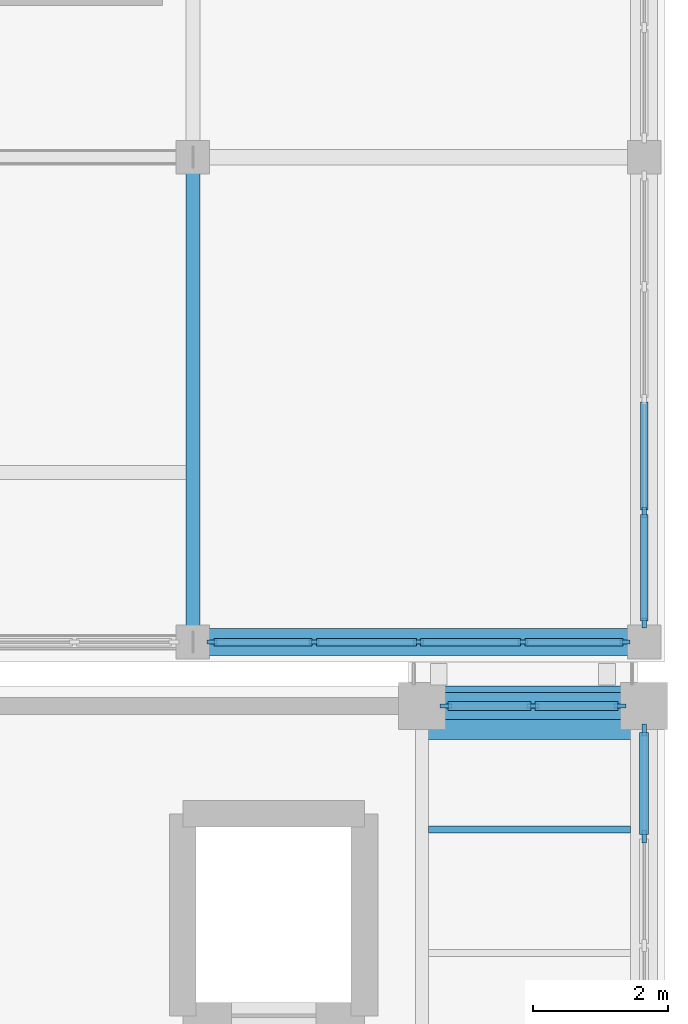
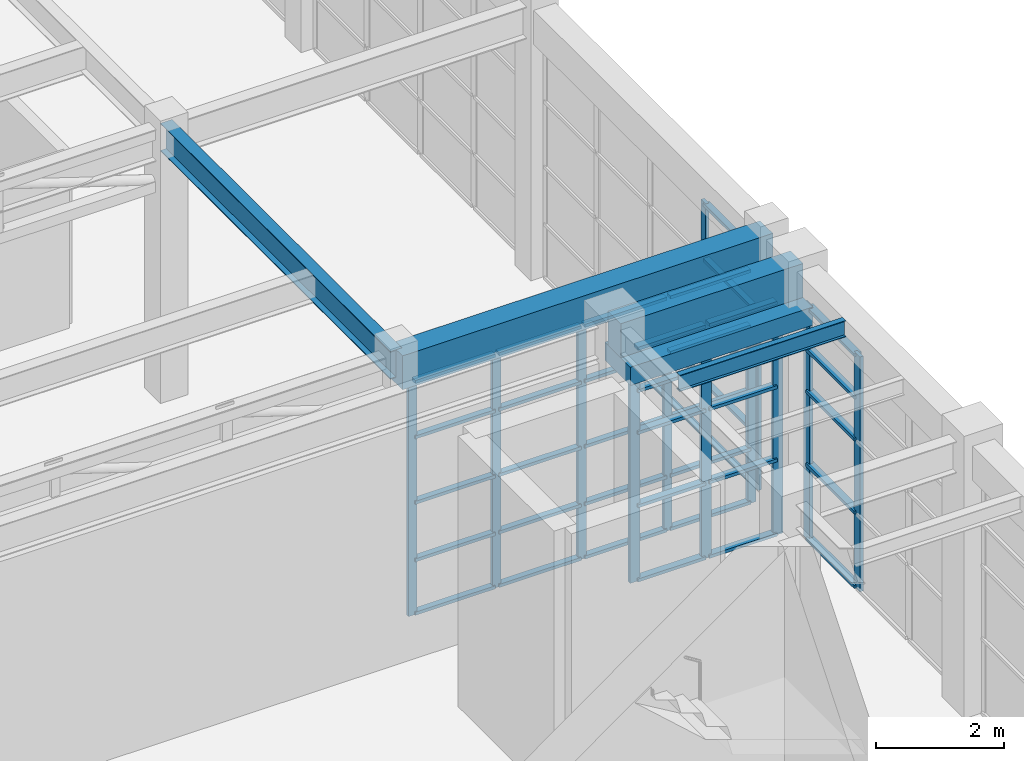
# One storey, part 51 of 103: 54 members, 5 beams, 4 elements without a shape of their own.
"""IFC4 building model written with IfcOpenShell, lengths in metres."""

from ifc_helpers import new_model, si_unit, direction, frame, origin, origin_2d, place, context, subcontext, project, spatial, rectangle, i_section, extrude, material, layer, layer_set, material_profile, profile_set, type_object, element, aggregate, save


model = new_model("IFC4")

# Units and contexts
model_context = context("Model", 3, precision=1e-05, world=origin(), true_north=direction((0.0, 1.0)))
body_context = subcontext(model_context, "Body", "Model", "MODEL_VIEW")
ifc_project = project(units=[si_unit("LENGTHUNIT", "METRE"), si_unit("AREAUNIT", "SQUARE_METRE"), si_unit("VOLUMEUNIT", "CUBIC_METRE"), si_unit("PLANEANGLEUNIT", "RADIAN"), si_unit("MASSUNIT", "GRAM", prefix="KILO")], contexts=[model_context])

# Site, building, storey
site_placement = place(None, origin())
site = spatial("IfcSite", under=ifc_project, at=site_placement, CompositionType="ELEMENT")
building_placement = place(site_placement, origin())
building = spatial("IfcBuilding", under=site, at=building_placement, Name="Candilejo Ridge Gondola Terminal", CompositionType="ELEMENT")
storey_placement = place(building_placement, frame((0.0, 0.0, 9.0)))
storey = spatial("IfcBuildingStorey", under=building, at=storey_placement, Name="L02", CompositionType="ELEMENT", Elevation=9.0)

# Curtain wall, members
ifc_material_1 = material(Name="Anodised aluminium AA 6063-T6", Category="aluminium")
ifc_layer_1 = layer(ifc_material_1, 0.169921875)
ifc_layer_set_1 = layer_set([ifc_layer_1], Name="ARC-CW-TOWER-3000-670X449")
curtain_wall_type_1 = type_object("IfcCurtainWallType", Name="ARC-CW-TOWER-3000-670X449", PredefinedType="NOTDEFINED", material=ifc_layer_set_1)
curtain_wall_1_placement = place(storey_placement, origin())
curtain_wall_1 = element("IfcCurtainWall", 1, at=curtain_wall_1_placement, inside=storey, type_object=curtain_wall_type_1, Name="Curtain wall V5 L02-175", PredefinedType="NOTDEFINED")
ifc_material_2 = material(Name="Anodised aluminium AA 6063-T6", Category="aluminium")
ifc_material_profile_1 = material_profile(ifc_material_2, rectangle(XDim=0.06494140625, YDim=0.14990234375, at=origin_2d()))
ifc_profile_set_1 = profile_set([ifc_material_profile_1], Name="Anodised aluminium AA 6063-T6")
member_type_1 = type_object("IfcMemberType", Name="ARC-CW-MULLION-150", PredefinedType="MULLION", material=ifc_profile_set_1)
member_1_placement = place(storey_placement, frame((175.300048828125, 48.9326171875, 0.0), z_axis=(0.0, 0.0, 1.0), x_axis=(-1.0, 0.0, 0.0)))
member_1 = element("IfcMember", 2, at=member_1_placement, type_object=member_type_1, Name="CW-67X44 mullion 1", PredefinedType="MULLION", context=body_context, shape_type="SweptSolid", body=[
    extrude(rectangle(XDim=0.06494140625, YDim=0.14990234375, at=origin_2d()), origin(), (0.0, 0.0, 1.0), 4.489990234375),
])
member_2_placement = place(storey_placement, frame((175.300048828125, 50.574951171875, 0.0), z_axis=(0.0, 0.0, 1.0), x_axis=(-1.0, 0.0, 0.0)))
member_2 = element("IfcMember", 3, at=member_2_placement, type_object=member_type_1, Name="CW-67X44 mullion 2", PredefinedType="MULLION", context=body_context, shape_type="SweptSolid", body=[
    extrude(rectangle(XDim=0.06494140625, YDim=0.14990234375, at=origin_2d()), origin(), (0.0, 0.0, 1.0), 4.489990234375),
])

ifc_material_3 = material(Name="Anodised aluminium AA 6063-T6", Category="aluminium")
ifc_layer_2 = layer(ifc_material_3, 0.169921875)
ifc_layer_set_2 = layer_set([ifc_layer_2], Name="ARC-CW-TOWER-3000-620X449")
curtain_wall_type_2 = type_object("IfcCurtainWallType", Name="ARC-CW-TOWER-3000-620X449", PredefinedType="NOTDEFINED", material=ifc_layer_set_2)
curtain_wall_2_placement = place(storey_placement, origin())
curtain_wall_2 = element("IfcCurtainWall", 4, at=curtain_wall_2_placement, inside=storey, type_object=curtain_wall_type_2, Name="Curtain wall V5 L02-194", PredefinedType="NOTDEFINED")
member_3_placement = place(storey_placement, frame((168.882568359375, 48.64990234375, 0.0), z_axis=(0.0, 0.0, 1.0), x_axis=(0.0, 1.0, 0.0)))
member_3 = element("IfcMember", 5, at=member_3_placement, type_object=member_type_1, Name="CW-62X44 mullion 1", PredefinedType="MULLION", context=body_context, shape_type="SweptSolid", body=[
    extrude(rectangle(XDim=0.06494140625, YDim=0.14990234375, at=origin_2d()), origin(), (0.0, 0.0, 1.0), 4.489990234375),
])
member_4_placement = place(storey_placement, frame((170.39990234375, 48.64990234375, 0.0), z_axis=(0.0, 0.0, 1.0), x_axis=(0.0, 1.0, 0.0)))
member_4 = element("IfcMember", 6, at=member_4_placement, type_object=member_type_1, Name="CW-62X44 mullion 2", PredefinedType="MULLION", context=body_context, shape_type="SweptSolid", body=[
    extrude(rectangle(XDim=0.06494140625, YDim=0.14990234375, at=origin_2d()), origin(), (0.0, 0.0, 1.0), 4.489990234375),
])
member_5_placement = place(storey_placement, frame((171.949951171875, 48.64990234375, 0.0), z_axis=(0.0, 0.0, 1.0), x_axis=(0.0, 1.0, 0.0)))
member_5 = element("IfcMember", 7, at=member_5_placement, type_object=member_type_1, Name="CW-62X44 mullion 3", PredefinedType="MULLION", context=body_context, shape_type="SweptSolid", body=[
    extrude(rectangle(XDim=0.06494140625, YDim=0.14990234375, at=origin_2d()), origin(), (0.0, 0.0, 1.0), 4.489990234375),
])
member_6_placement = place(storey_placement, frame((173.5, 48.64990234375, 0.0), z_axis=(0.0, 0.0, 1.0), x_axis=(0.0, 1.0, 0.0)))
member_6 = element("IfcMember", 8, at=member_6_placement, type_object=member_type_1, Name="CW-62X44 mullion 4", PredefinedType="MULLION", context=body_context, shape_type="SweptSolid", body=[
    extrude(rectangle(XDim=0.06494140625, YDim=0.14990234375, at=origin_2d()), origin(), (0.0, 0.0, 1.0), 4.489990234375),
])
member_7_placement = place(storey_placement, frame((175.017578125, 48.64990234375, 0.0), z_axis=(0.0, 0.0, 1.0), x_axis=(0.0, 1.0, 0.0)))
member_7 = element("IfcMember", 9, at=member_7_placement, type_object=member_type_1, Name="CW-62X44 mullion 5", PredefinedType="MULLION", context=body_context, shape_type="SweptSolid", body=[
    extrude(rectangle(XDim=0.06494140625, YDim=0.14990234375, at=origin_2d()), origin(), (0.0, 0.0, 1.0), 4.489990234375),
])

ifc_material_4 = material(Name="Anodised aluminium AA 6063-T6", Category="aluminium")
ifc_layer_3 = layer(ifc_material_4, 0.169921875)
ifc_layer_set_3 = layer_set([ifc_layer_3], Name="ARC-CW-HALL-3800-485X449")
curtain_wall_type_3 = type_object("IfcCurtainWallType", Name="ARC-CW-HALL-3800-485X449", PredefinedType="NOTDEFINED", material=ifc_layer_set_3)
curtain_wall_3_placement = place(storey_placement, origin())
curtain_wall_3 = element("IfcCurtainWall", 10, at=curtain_wall_3_placement, inside=storey, type_object=curtain_wall_type_3, Name="Curtain wall V4 L02-143", PredefinedType="NOTDEFINED")
ifc_material_5 = material(Name="Anodised aluminium AA 6063-T6", Category="aluminium")
ifc_material_profile_2 = material_profile(ifc_material_5, rectangle(XDim=0.06494140625, YDim=0.179931640625, at=origin_2d()))
ifc_profile_set_2 = profile_set([ifc_material_profile_2], Name="Anodised aluminium AA 6063-T6")
member_type_2 = type_object("IfcMemberType", Name="ARC-CW-MULLION-180", PredefinedType="MULLION", material=ifc_profile_set_2)
member_8_placement = place(storey_placement, frame((175.300048828125, 45.75830078125, 0.0), z_axis=(0.0, 0.0, 1.0), x_axis=(-1.0, 0.0, 0.0)))
member_8 = element("IfcMember", 11, at=member_8_placement, type_object=member_type_2, Name="CW-48X44 mullion 3", PredefinedType="MULLION", context=body_context, shape_type="SweptSolid", body=[
    extrude(rectangle(XDim=0.06494140625, YDim=0.179931640625, at=origin_2d()), origin(), (0.0, 0.0, 1.0), 4.489990234375),
])
member_9_placement = place(storey_placement, frame((175.300048828125, 47.342529296875, 0.0), z_axis=(0.0, 0.0, 1.0), x_axis=(-1.0, 0.0, 0.0)))
member_9 = element("IfcMember", 12, at=member_9_placement, type_object=member_type_2, Name="CW-48X44 mullion 4", PredefinedType="MULLION", context=body_context, shape_type="SweptSolid", body=[
    extrude(rectangle(XDim=0.06494140625, YDim=0.179931640625, at=origin_2d()), origin(), (0.0, 0.0, 1.0), 4.489990234375),
])

ifc_material_6 = material(Name="Anodised aluminium AA 6063-T6", Category="aluminium")
ifc_layer_4 = layer(ifc_material_6, 0.169921875)
ifc_layer_set_4 = layer_set([ifc_layer_4], Name="ARC-CW-HALL-3800-265X449")
curtain_wall_type_4 = type_object("IfcCurtainWallType", Name="ARC-CW-HALL-3800-265X449", PredefinedType="NOTDEFINED", material=ifc_layer_set_4)
curtain_wall_4_placement = place(storey_placement, origin())
curtain_wall_4 = element("IfcCurtainWall", 13, at=curtain_wall_4_placement, inside=storey, type_object=curtain_wall_type_4, Name="Curtain wall V4 L02-150", PredefinedType="NOTDEFINED")
member_10_placement = place(storey_placement, frame((172.357421875, 47.699951171875, 0.0), z_axis=(0.0, 0.0, 1.0), x_axis=(0.0, 1.0, 0.0)))
member_10 = element("IfcMember", 14, at=member_10_placement, type_object=member_type_2, Name="CW-26X44 mullion 1", PredefinedType="MULLION", context=body_context, shape_type="SweptSolid", body=[
    extrude(rectangle(XDim=0.06494140625, YDim=0.179931640625, at=origin_2d()), origin(), (0.0, 0.0, 1.0), 4.489990234375),
])
member_11_placement = place(storey_placement, frame((173.64990234375, 47.699951171875, 0.0), z_axis=(0.0, 0.0, 1.0), x_axis=(0.0, 1.0, 0.0)))
member_11 = element("IfcMember", 15, at=member_11_placement, type_object=member_type_2, Name="CW-26X44 mullion 2", PredefinedType="MULLION", context=body_context, shape_type="SweptSolid", body=[
    extrude(rectangle(XDim=0.06494140625, YDim=0.179931640625, at=origin_2d()), origin(), (0.0, 0.0, 1.0), 4.489990234375),
])
member_12_placement = place(storey_placement, frame((174.9423828125, 47.699951171875, 0.0), z_axis=(0.0, 0.0, 1.0), x_axis=(0.0, 1.0, 0.0)))
member_12 = element("IfcMember", 16, at=member_12_placement, type_object=member_type_2, Name="CW-26X44 mullion 3", PredefinedType="MULLION", context=body_context, shape_type="SweptSolid", body=[
    extrude(rectangle(XDim=0.06494140625, YDim=0.179931640625, at=origin_2d()), origin(), (0.0, 0.0, 1.0), 4.489990234375),
])

# Member
ifc_material_7 = material(Name="Anodised aluminium AA 6063-T6", Category="aluminium")
ifc_material_profile_3 = material_profile(ifc_material_7, rectangle(XDim=0.110107421875, YDim=0.06005859375, at=origin_2d()))
ifc_profile_set_3 = profile_set([ifc_material_profile_3], Name="Anodised aluminium AA 6063-T6")
member_type_3 = type_object("IfcMemberType", Name="ARC-CW-TRANSOM-110", PredefinedType="USERDEFINED", material=ifc_profile_set_3)
member_13_placement = place(storey_placement, frame((175.300048828125, 48.965087890625, 0.030029296875), z_axis=(0.0, 1.0, 0.0), x_axis=(-1.0, 0.0, 0.0)))
member_13 = element("IfcMember", 17, at=member_13_placement, type_object=member_type_3, Name="CW-67X44 transom 1.1", ObjectType="TRANSOM", PredefinedType="USERDEFINED", context=body_context, shape_type="SweptSolid", body=[
    extrude(rectangle(XDim=0.110107421875, YDim=0.06005859375, at=origin_2d()), origin(), (0.0, 0.0, 1.0), 1.577392578125),
])

member_14_placement = place(storey_placement, frame((175.300048828125, 48.965087890625, 1.050048828125), z_axis=(0.0, 1.0, 0.0), x_axis=(-1.0, 0.0, 0.0)))
member_14 = element("IfcMember", 18, at=member_14_placement, type_object=member_type_3, Name="CW-67X44 transom 1.2", ObjectType="TRANSOM", PredefinedType="USERDEFINED", context=body_context, shape_type="SweptSolid", body=[
    extrude(rectangle(XDim=0.110107421875, YDim=0.06005859375, at=origin_2d()), origin(), (0.0, 0.0, 1.0), 1.577392578125),
])

member_15_placement = place(storey_placement, frame((175.300048828125, 48.965087890625, 2.14990234375), z_axis=(0.0, 1.0, 0.0), x_axis=(-1.0, 0.0, 0.0)))
member_15 = element("IfcMember", 19, at=member_15_placement, type_object=member_type_3, Name="CW-67X44 transom 1.3", ObjectType="TRANSOM", PredefinedType="USERDEFINED", context=body_context, shape_type="SweptSolid", body=[
    extrude(rectangle(XDim=0.110107421875, YDim=0.06005859375, at=origin_2d()), origin(), (0.0, 0.0, 1.0), 1.577392578125),
])

member_16_placement = place(storey_placement, frame((175.300048828125, 48.965087890625, 3.39990234375), z_axis=(0.0, 1.0, 0.0), x_axis=(-1.0, 0.0, 0.0)))
member_16 = element("IfcMember", 20, at=member_16_placement, type_object=member_type_3, Name="CW-67X44 transom 1.4", ObjectType="TRANSOM", PredefinedType="USERDEFINED", context=body_context, shape_type="SweptSolid", body=[
    extrude(rectangle(XDim=0.110107421875, YDim=0.06005859375, at=origin_2d()), origin(), (0.0, 0.0, 1.0), 1.577392578125),
])

member_17_placement = place(storey_placement, frame((175.300048828125, 48.965087890625, 4.4599609375), z_axis=(0.0, 1.0, 0.0), x_axis=(-1.0, 0.0, 0.0)))
member_17 = element("IfcMember", 21, at=member_17_placement, type_object=member_type_3, Name="CW-67X44 transom 1.5", ObjectType="TRANSOM", PredefinedType="USERDEFINED", context=body_context, shape_type="SweptSolid", body=[
    extrude(rectangle(XDim=0.110107421875, YDim=0.06005859375, at=origin_2d()), origin(), (0.0, 0.0, 1.0), 1.577392578125),
])

member_18_placement = place(storey_placement, frame((175.300048828125, 50.607421875, 0.030029296875), z_axis=(0.0, 1.0, 0.0), x_axis=(-1.0, 0.0, 0.0)))
member_18 = element("IfcMember", 22, at=member_18_placement, type_object=member_type_3, Name="CW-67X44 transom 2.1", ObjectType="TRANSOM", PredefinedType="USERDEFINED", context=body_context, shape_type="SweptSolid", body=[
    extrude(rectangle(XDim=0.110107421875, YDim=0.06005859375, at=origin_2d()), origin(), (0.0, 0.0, 1.0), 1.610107421875),
])

member_19_placement = place(storey_placement, frame((175.300048828125, 50.607421875, 1.050048828125), z_axis=(0.0, 1.0, 0.0), x_axis=(-1.0, 0.0, 0.0)))
member_19 = element("IfcMember", 23, at=member_19_placement, type_object=member_type_3, Name="CW-67X44 transom 2.2", ObjectType="TRANSOM", PredefinedType="USERDEFINED", context=body_context, shape_type="SweptSolid", body=[
    extrude(rectangle(XDim=0.110107421875, YDim=0.06005859375, at=origin_2d()), origin(), (0.0, 0.0, 1.0), 1.610107421875),
])

aggregate(curtain_wall_1, [member_1, member_2, member_13, member_14, member_15, member_16, member_17, member_18, member_19])

member_20_placement = place(storey_placement, frame((168.9150390625, 48.64990234375, 0.030029296875), z_axis=(1.0, 0.0, 0.0), x_axis=(0.0, 1.0, 0.0)))
member_20 = element("IfcMember", 24, at=member_20_placement, type_object=member_type_3, Name="CW-62X44 transom 1.1", ObjectType="TRANSOM", PredefinedType="USERDEFINED", context=body_context, shape_type="SweptSolid", body=[
    extrude(rectangle(XDim=0.110107421875, YDim=0.06005859375, at=origin_2d()), origin(), (0.0, 0.0, 1.0), 1.452392578125),
])

member_21_placement = place(storey_placement, frame((168.9150390625, 48.64990234375, 1.050048828125), z_axis=(1.0, 0.0, 0.0), x_axis=(0.0, 1.0, 0.0)))
member_21 = element("IfcMember", 25, at=member_21_placement, type_object=member_type_3, Name="CW-62X44 transom 1.2", ObjectType="TRANSOM", PredefinedType="USERDEFINED", context=body_context, shape_type="SweptSolid", body=[
    extrude(rectangle(XDim=0.110107421875, YDim=0.06005859375, at=origin_2d()), origin(), (0.0, 0.0, 1.0), 1.452392578125),
])

member_22_placement = place(storey_placement, frame((168.9150390625, 48.64990234375, 2.14990234375), z_axis=(1.0, 0.0, 0.0), x_axis=(0.0, 1.0, 0.0)))
member_22 = element("IfcMember", 26, at=member_22_placement, type_object=member_type_3, Name="CW-62X44 transom 1.3", ObjectType="TRANSOM", PredefinedType="USERDEFINED", context=body_context, shape_type="SweptSolid", body=[
    extrude(rectangle(XDim=0.110107421875, YDim=0.06005859375, at=origin_2d()), origin(), (0.0, 0.0, 1.0), 1.452392578125),
])

member_23_placement = place(storey_placement, frame((168.9150390625, 48.64990234375, 3.39990234375), z_axis=(1.0, 0.0, 0.0), x_axis=(0.0, 1.0, 0.0)))
member_23 = element("IfcMember", 27, at=member_23_placement, type_object=member_type_3, Name="CW-62X44 transom 1.4", ObjectType="TRANSOM", PredefinedType="USERDEFINED", context=body_context, shape_type="SweptSolid", body=[
    extrude(rectangle(XDim=0.110107421875, YDim=0.06005859375, at=origin_2d()), origin(), (0.0, 0.0, 1.0), 1.452392578125),
])

member_24_placement = place(storey_placement, frame((168.9150390625, 48.64990234375, 4.4599609375), z_axis=(1.0, 0.0, 0.0), x_axis=(0.0, 1.0, 0.0)))
member_24 = element("IfcMember", 28, at=member_24_placement, type_object=member_type_3, Name="CW-62X44 transom 1.5", ObjectType="TRANSOM", PredefinedType="USERDEFINED", context=body_context, shape_type="SweptSolid", body=[
    extrude(rectangle(XDim=0.110107421875, YDim=0.06005859375, at=origin_2d()), origin(), (0.0, 0.0, 1.0), 1.452392578125),
])

member_25_placement = place(storey_placement, frame((170.4326171875, 48.64990234375, 0.030029296875), z_axis=(1.0, 0.0, 0.0), x_axis=(0.0, 1.0, 0.0)))
member_25 = element("IfcMember", 29, at=member_25_placement, type_object=member_type_3, Name="CW-62X44 transom 2.1", ObjectType="TRANSOM", PredefinedType="USERDEFINED", context=body_context, shape_type="SweptSolid", body=[
    extrude(rectangle(XDim=0.110107421875, YDim=0.06005859375, at=origin_2d()), origin(), (0.0, 0.0, 1.0), 1.48486328125),
])

member_26_placement = place(storey_placement, frame((170.4326171875, 48.64990234375, 1.050048828125), z_axis=(1.0, 0.0, 0.0), x_axis=(0.0, 1.0, 0.0)))
member_26 = element("IfcMember", 30, at=member_26_placement, type_object=member_type_3, Name="CW-62X44 transom 2.2", ObjectType="TRANSOM", PredefinedType="USERDEFINED", context=body_context, shape_type="SweptSolid", body=[
    extrude(rectangle(XDim=0.110107421875, YDim=0.06005859375, at=origin_2d()), origin(), (0.0, 0.0, 1.0), 1.48486328125),
])

member_27_placement = place(storey_placement, frame((170.4326171875, 48.64990234375, 2.14990234375), z_axis=(1.0, 0.0, 0.0), x_axis=(0.0, 1.0, 0.0)))
member_27 = element("IfcMember", 31, at=member_27_placement, type_object=member_type_3, Name="CW-62X44 transom 2.3", ObjectType="TRANSOM", PredefinedType="USERDEFINED", context=body_context, shape_type="SweptSolid", body=[
    extrude(rectangle(XDim=0.110107421875, YDim=0.06005859375, at=origin_2d()), origin(), (0.0, 0.0, 1.0), 1.48486328125),
])

member_28_placement = place(storey_placement, frame((170.4326171875, 48.64990234375, 3.39990234375), z_axis=(1.0, 0.0, 0.0), x_axis=(0.0, 1.0, 0.0)))
member_28 = element("IfcMember", 32, at=member_28_placement, type_object=member_type_3, Name="CW-62X44 transom 2.4", ObjectType="TRANSOM", PredefinedType="USERDEFINED", context=body_context, shape_type="SweptSolid", body=[
    extrude(rectangle(XDim=0.110107421875, YDim=0.06005859375, at=origin_2d()), origin(), (0.0, 0.0, 1.0), 1.48486328125),
])

member_29_placement = place(storey_placement, frame((170.4326171875, 48.64990234375, 4.4599609375), z_axis=(1.0, 0.0, 0.0), x_axis=(0.0, 1.0, 0.0)))
member_29 = element("IfcMember", 33, at=member_29_placement, type_object=member_type_3, Name="CW-62X44 transom 2.5", ObjectType="TRANSOM", PredefinedType="USERDEFINED", context=body_context, shape_type="SweptSolid", body=[
    extrude(rectangle(XDim=0.110107421875, YDim=0.06005859375, at=origin_2d()), origin(), (0.0, 0.0, 1.0), 1.48486328125),
])

member_30_placement = place(storey_placement, frame((171.982421875, 48.64990234375, 0.030029296875), z_axis=(1.0, 0.0, 0.0), x_axis=(0.0, 1.0, 0.0)))
member_30 = element("IfcMember", 34, at=member_30_placement, type_object=member_type_3, Name="CW-62X44 transom 3.1", ObjectType="TRANSOM", PredefinedType="USERDEFINED", context=body_context, shape_type="SweptSolid", body=[
    extrude(rectangle(XDim=0.110107421875, YDim=0.06005859375, at=origin_2d()), origin(), (0.0, 0.0, 1.0), 1.485107421875),
])

member_31_placement = place(storey_placement, frame((171.982421875, 48.64990234375, 1.050048828125), z_axis=(1.0, 0.0, 0.0), x_axis=(0.0, 1.0, 0.0)))
member_31 = element("IfcMember", 35, at=member_31_placement, type_object=member_type_3, Name="CW-62X44 transom 3.2", ObjectType="TRANSOM", PredefinedType="USERDEFINED", context=body_context, shape_type="SweptSolid", body=[
    extrude(rectangle(XDim=0.110107421875, YDim=0.06005859375, at=origin_2d()), origin(), (0.0, 0.0, 1.0), 1.485107421875),
])

member_32_placement = place(storey_placement, frame((171.982421875, 48.64990234375, 2.14990234375), z_axis=(1.0, 0.0, 0.0), x_axis=(0.0, 1.0, 0.0)))
member_32 = element("IfcMember", 36, at=member_32_placement, type_object=member_type_3, Name="CW-62X44 transom 3.3", ObjectType="TRANSOM", PredefinedType="USERDEFINED", context=body_context, shape_type="SweptSolid", body=[
    extrude(rectangle(XDim=0.110107421875, YDim=0.06005859375, at=origin_2d()), origin(), (0.0, 0.0, 1.0), 1.485107421875),
])

member_33_placement = place(storey_placement, frame((171.982421875, 48.64990234375, 3.39990234375), z_axis=(1.0, 0.0, 0.0), x_axis=(0.0, 1.0, 0.0)))
member_33 = element("IfcMember", 37, at=member_33_placement, type_object=member_type_3, Name="CW-62X44 transom 3.4", ObjectType="TRANSOM", PredefinedType="USERDEFINED", context=body_context, shape_type="SweptSolid", body=[
    extrude(rectangle(XDim=0.110107421875, YDim=0.06005859375, at=origin_2d()), origin(), (0.0, 0.0, 1.0), 1.485107421875),
])

member_34_placement = place(storey_placement, frame((171.982421875, 48.64990234375, 4.4599609375), z_axis=(1.0, 0.0, 0.0), x_axis=(0.0, 1.0, 0.0)))
member_34 = element("IfcMember", 38, at=member_34_placement, type_object=member_type_3, Name="CW-62X44 transom 3.5", ObjectType="TRANSOM", PredefinedType="USERDEFINED", context=body_context, shape_type="SweptSolid", body=[
    extrude(rectangle(XDim=0.110107421875, YDim=0.06005859375, at=origin_2d()), origin(), (0.0, 0.0, 1.0), 1.485107421875),
])

member_35_placement = place(storey_placement, frame((173.532470703125, 48.64990234375, 0.030029296875), z_axis=(1.0, 0.0, 0.0), x_axis=(0.0, 1.0, 0.0)))
member_35 = element("IfcMember", 39, at=member_35_placement, type_object=member_type_3, Name="CW-62X44 transom 4.1", ObjectType="TRANSOM", PredefinedType="USERDEFINED", context=body_context, shape_type="SweptSolid", body=[
    extrude(rectangle(XDim=0.110107421875, YDim=0.06005859375, at=origin_2d()), origin(), (0.0, 0.0, 1.0), 1.45263671875),
])

member_36_placement = place(storey_placement, frame((173.532470703125, 48.64990234375, 1.050048828125), z_axis=(1.0, 0.0, 0.0), x_axis=(0.0, 1.0, 0.0)))
member_36 = element("IfcMember", 40, at=member_36_placement, type_object=member_type_3, Name="CW-62X44 transom 4.2", ObjectType="TRANSOM", PredefinedType="USERDEFINED", context=body_context, shape_type="SweptSolid", body=[
    extrude(rectangle(XDim=0.110107421875, YDim=0.06005859375, at=origin_2d()), origin(), (0.0, 0.0, 1.0), 1.45263671875),
])

member_37_placement = place(storey_placement, frame((173.532470703125, 48.64990234375, 2.14990234375), z_axis=(1.0, 0.0, 0.0), x_axis=(0.0, 1.0, 0.0)))
member_37 = element("IfcMember", 41, at=member_37_placement, type_object=member_type_3, Name="CW-62X44 transom 4.3", ObjectType="TRANSOM", PredefinedType="USERDEFINED", context=body_context, shape_type="SweptSolid", body=[
    extrude(rectangle(XDim=0.110107421875, YDim=0.06005859375, at=origin_2d()), origin(), (0.0, 0.0, 1.0), 1.45263671875),
])

member_38_placement = place(storey_placement, frame((173.532470703125, 48.64990234375, 3.39990234375), z_axis=(1.0, 0.0, 0.0), x_axis=(0.0, 1.0, 0.0)))
member_38 = element("IfcMember", 42, at=member_38_placement, type_object=member_type_3, Name="CW-62X44 transom 4.4", ObjectType="TRANSOM", PredefinedType="USERDEFINED", context=body_context, shape_type="SweptSolid", body=[
    extrude(rectangle(XDim=0.110107421875, YDim=0.06005859375, at=origin_2d()), origin(), (0.0, 0.0, 1.0), 1.45263671875),
])

member_39_placement = place(storey_placement, frame((173.532470703125, 48.64990234375, 4.4599609375), z_axis=(1.0, 0.0, 0.0), x_axis=(0.0, 1.0, 0.0)))
member_39 = element("IfcMember", 43, at=member_39_placement, type_object=member_type_3, Name="CW-62X44 transom 4.5", ObjectType="TRANSOM", PredefinedType="USERDEFINED", context=body_context, shape_type="SweptSolid", body=[
    extrude(rectangle(XDim=0.110107421875, YDim=0.06005859375, at=origin_2d()), origin(), (0.0, 0.0, 1.0), 1.45263671875),
])

aggregate(curtain_wall_2, [member_3, member_4, member_5, member_6, member_7, member_20, member_21, member_22, member_23, member_24, member_25, member_26, member_27, member_28, member_29, member_30, member_31, member_32, member_33, member_34, member_35, member_36, member_37, member_38, member_39])

ifc_material_8 = material(Name="Anodised aluminium AA 6063-T6", Category="aluminium")
ifc_material_profile_4 = material_profile(ifc_material_8, rectangle(XDim=0.1298828125, YDim=0.06005859375, at=origin_2d()))
ifc_profile_set_4 = profile_set([ifc_material_profile_4], Name="Anodised aluminium AA 6063-T6")
member_type_4 = type_object("IfcMemberType", Name="ARC-CW-TRANSOM-130", PredefinedType="USERDEFINED", material=ifc_profile_set_4)
member_40_placement = place(storey_placement, frame((175.300048828125, 45.790771484375, 0.030029296875), z_axis=(0.0, 1.0, 0.0), x_axis=(-1.0, 0.0, 0.0)))
member_40 = element("IfcMember", 44, at=member_40_placement, type_object=member_type_4, Name="CW-48X44 transom 3.1", ObjectType="TRANSOM", PredefinedType="USERDEFINED", context=body_context, shape_type="SweptSolid", body=[
    extrude(rectangle(XDim=0.1298828125, YDim=0.06005859375, at=origin_2d()), origin(), (0.0, 0.0, 1.0), 1.519287109375),
])

member_41_placement = place(storey_placement, frame((175.300048828125, 45.790771484375, 1.449951171875), z_axis=(0.0, 1.0, 0.0), x_axis=(-1.0, 0.0, 0.0)))
member_41 = element("IfcMember", 45, at=member_41_placement, type_object=member_type_4, Name="CW-48X44 transom 3.2", ObjectType="TRANSOM", PredefinedType="USERDEFINED", context=body_context, shape_type="SweptSolid", body=[
    extrude(rectangle(XDim=0.1298828125, YDim=0.06005859375, at=origin_2d()), origin(), (0.0, 0.0, 1.0), 1.519287109375),
])

member_42_placement = place(storey_placement, frame((175.300048828125, 45.790771484375, 2.85009765625), z_axis=(0.0, 1.0, 0.0), x_axis=(-1.0, 0.0, 0.0)))
member_42 = element("IfcMember", 46, at=member_42_placement, type_object=member_type_4, Name="CW-48X44 transom 3.3", ObjectType="TRANSOM", PredefinedType="USERDEFINED", context=body_context, shape_type="SweptSolid", body=[
    extrude(rectangle(XDim=0.1298828125, YDim=0.06005859375, at=origin_2d()), origin(), (0.0, 0.0, 1.0), 1.519287109375),
])

member_43_placement = place(storey_placement, frame((175.300048828125, 45.790771484375, 3.64990234375), z_axis=(0.0, 1.0, 0.0), x_axis=(-1.0, 0.0, 0.0)))
member_43 = element("IfcMember", 47, at=member_43_placement, type_object=member_type_4, Name="CW-48X44 transom 3.4", ObjectType="TRANSOM", PredefinedType="USERDEFINED", context=body_context, shape_type="SweptSolid", body=[
    extrude(rectangle(XDim=0.1298828125, YDim=0.06005859375, at=origin_2d()), origin(), (0.0, 0.0, 1.0), 1.519287109375),
])

member_44_placement = place(storey_placement, frame((175.300048828125, 45.790771484375, 4.4599609375), z_axis=(0.0, 1.0, 0.0), x_axis=(-1.0, 0.0, 0.0)))
member_44 = element("IfcMember", 48, at=member_44_placement, type_object=member_type_4, Name="CW-48X44 transom 3.5", ObjectType="TRANSOM", PredefinedType="USERDEFINED", context=body_context, shape_type="SweptSolid", body=[
    extrude(rectangle(XDim=0.1298828125, YDim=0.06005859375, at=origin_2d()), origin(), (0.0, 0.0, 1.0), 1.519287109375),
])

aggregate(curtain_wall_3, [member_8, member_9, member_40, member_41, member_42, member_43, member_44])

member_45_placement = place(storey_placement, frame((172.389892578125, 47.699951171875, 0.030029296875), z_axis=(1.0, 0.0, 0.0), x_axis=(0.0, 1.0, 0.0)))
member_45 = element("IfcMember", 49, at=member_45_placement, type_object=member_type_4, Name="CW-26X44 transom 1.1", ObjectType="TRANSOM", PredefinedType="USERDEFINED", context=body_context, shape_type="SweptSolid", body=[
    extrude(rectangle(XDim=0.1298828125, YDim=0.06005859375, at=origin_2d()), origin(), (0.0, 0.0, 1.0), 1.2275390625),
])

member_46_placement = place(storey_placement, frame((172.389892578125, 47.699951171875, 1.449951171875), z_axis=(1.0, 0.0, 0.0), x_axis=(0.0, 1.0, 0.0)))
member_46 = element("IfcMember", 50, at=member_46_placement, type_object=member_type_4, Name="CW-26X44 transom 1.2", ObjectType="TRANSOM", PredefinedType="USERDEFINED", context=body_context, shape_type="SweptSolid", body=[
    extrude(rectangle(XDim=0.1298828125, YDim=0.06005859375, at=origin_2d()), origin(), (0.0, 0.0, 1.0), 1.2275390625),
])

member_47_placement = place(storey_placement, frame((172.389892578125, 47.699951171875, 2.85009765625), z_axis=(1.0, 0.0, 0.0), x_axis=(0.0, 1.0, 0.0)))
member_47 = element("IfcMember", 51, at=member_47_placement, type_object=member_type_4, Name="CW-26X44 transom 1.3", ObjectType="TRANSOM", PredefinedType="USERDEFINED", context=body_context, shape_type="SweptSolid", body=[
    extrude(rectangle(XDim=0.1298828125, YDim=0.06005859375, at=origin_2d()), origin(), (0.0, 0.0, 1.0), 1.2275390625),
])

member_48_placement = place(storey_placement, frame((172.389892578125, 47.699951171875, 3.64990234375), z_axis=(1.0, 0.0, 0.0), x_axis=(0.0, 1.0, 0.0)))
member_48 = element("IfcMember", 52, at=member_48_placement, type_object=member_type_4, Name="CW-26X44 transom 1.4", ObjectType="TRANSOM", PredefinedType="USERDEFINED", context=body_context, shape_type="SweptSolid", body=[
    extrude(rectangle(XDim=0.1298828125, YDim=0.06005859375, at=origin_2d()), origin(), (0.0, 0.0, 1.0), 1.2275390625),
])

member_49_placement = place(storey_placement, frame((172.389892578125, 47.699951171875, 4.4599609375), z_axis=(1.0, 0.0, 0.0), x_axis=(0.0, 1.0, 0.0)))
member_49 = element("IfcMember", 53, at=member_49_placement, type_object=member_type_4, Name="CW-26X44 transom 1.5", ObjectType="TRANSOM", PredefinedType="USERDEFINED", context=body_context, shape_type="SweptSolid", body=[
    extrude(rectangle(XDim=0.1298828125, YDim=0.06005859375, at=origin_2d()), origin(), (0.0, 0.0, 1.0), 1.2275390625),
])

member_50_placement = place(storey_placement, frame((173.6826171875, 47.699951171875, 0.030029296875), z_axis=(1.0, 0.0, 0.0), x_axis=(0.0, 1.0, 0.0)))
member_50 = element("IfcMember", 54, at=member_50_placement, type_object=member_type_4, Name="CW-26X44 transom 2.1", ObjectType="TRANSOM", PredefinedType="USERDEFINED", context=body_context, shape_type="SweptSolid", body=[
    extrude(rectangle(XDim=0.1298828125, YDim=0.06005859375, at=origin_2d()), origin(), (0.0, 0.0, 1.0), 1.227294921875),
])

member_51_placement = place(storey_placement, frame((173.6826171875, 47.699951171875, 1.449951171875), z_axis=(1.0, 0.0, 0.0), x_axis=(0.0, 1.0, 0.0)))
member_51 = element("IfcMember", 55, at=member_51_placement, type_object=member_type_4, Name="CW-26X44 transom 2.2", ObjectType="TRANSOM", PredefinedType="USERDEFINED", context=body_context, shape_type="SweptSolid", body=[
    extrude(rectangle(XDim=0.1298828125, YDim=0.06005859375, at=origin_2d()), origin(), (0.0, 0.0, 1.0), 1.227294921875),
])

member_52_placement = place(storey_placement, frame((173.6826171875, 47.699951171875, 2.85009765625), z_axis=(1.0, 0.0, 0.0), x_axis=(0.0, 1.0, 0.0)))
member_52 = element("IfcMember", 56, at=member_52_placement, type_object=member_type_4, Name="CW-26X44 transom 2.3", ObjectType="TRANSOM", PredefinedType="USERDEFINED", context=body_context, shape_type="SweptSolid", body=[
    extrude(rectangle(XDim=0.1298828125, YDim=0.06005859375, at=origin_2d()), origin(), (0.0, 0.0, 1.0), 1.227294921875),
])

member_53_placement = place(storey_placement, frame((173.6826171875, 47.699951171875, 3.64990234375), z_axis=(1.0, 0.0, 0.0), x_axis=(0.0, 1.0, 0.0)))
member_53 = element("IfcMember", 57, at=member_53_placement, type_object=member_type_4, Name="CW-26X44 transom 2.4", ObjectType="TRANSOM", PredefinedType="USERDEFINED", context=body_context, shape_type="SweptSolid", body=[
    extrude(rectangle(XDim=0.1298828125, YDim=0.06005859375, at=origin_2d()), origin(), (0.0, 0.0, 1.0), 1.227294921875),
])

member_54_placement = place(storey_placement, frame((173.6826171875, 47.699951171875, 4.4599609375), z_axis=(1.0, 0.0, 0.0), x_axis=(0.0, 1.0, 0.0)))
member_54 = element("IfcMember", 58, at=member_54_placement, type_object=member_type_4, Name="CW-26X44 transom 2.5", ObjectType="TRANSOM", PredefinedType="USERDEFINED", context=body_context, shape_type="SweptSolid", body=[
    extrude(rectangle(XDim=0.1298828125, YDim=0.06005859375, at=origin_2d()), origin(), (0.0, 0.0, 1.0), 1.227294921875),
])

aggregate(curtain_wall_4, [member_10, member_11, member_12, member_45, member_46, member_47, member_48, member_49, member_50, member_51, member_52, member_53, member_54])

# Beams
ifc_material_9 = material(Name="Steel ASTM A992 Grade 50", Category="steel")
ifc_material_profile_5 = material_profile(ifc_material_9, i_section(OverallWidth=0.208984375, OverallDepth=0.532958984375, WebThickness=0.01025390625, FlangeThickness=0.015625, at=origin_2d()))
ifc_profile_set_5 = profile_set([ifc_material_profile_5], Name="Steel ASTM A992 Grade 50")
beam_type_1 = type_object("IfcBeamType", Name="STR-BM-W530X92", PredefinedType="BEAM", material=ifc_profile_set_5)
beam_1_placement = place(storey_placement, frame((168.60009765625, 48.64990234375, 4.8935546875), z_axis=(0.0, 1.0, 0.0), x_axis=(-1.0, 0.0, 0.0)))
element("IfcBeam", 59, at=beam_1_placement, inside=storey, type_object=beam_type_1, Name="Beam Y V5 L02 Y10-Y11@X25", PredefinedType="BEAM", context=body_context, shape_type="SweptSolid", body=[
    extrude(i_section(OverallWidth=0.208984375, OverallDepth=0.532958984375, WebThickness=0.01025390625, FlangeThickness=0.015625, at=origin_2d()), origin(), (0.0, 0.0, 1.0), 7.2001953125),
])
ifc_material_10 = material(Name="Concrete f'c 35 MPa (C35/45)", Category="concrete")
ifc_material_profile_6 = material_profile(ifc_material_10, rectangle(XDim=0.800048828125, YDim=0.35009765625, at=origin_2d()))
ifc_profile_set_6 = profile_set([ifc_material_profile_6], Name="Concrete f'c 35 MPa (C35/45)")
beam_type_2 = type_object("IfcBeamType", Name="STR-CRB-RC800X350", PredefinedType="SPANDREL", material=ifc_profile_set_6)
beam_2_placement = place(storey_placement, frame((172.0, 47.60009765625, 4.3349609375), z_axis=(1.0, 0.0, 0.0), x_axis=(0.0, 1.0, 0.0)))
element("IfcBeam", 60, at=beam_2_placement, inside=storey, type_object=beam_type_2, Name="Seismic bridge 800 mm RC corbel seat LB-SJ4-L03", PredefinedType="SPANDREL", context=body_context, shape_type="SweptSolid", body=[
    extrude(rectangle(XDim=0.800048828125, YDim=0.35009765625, at=origin_2d()), origin(), (0.0, 0.0, 1.0), 3.300048828125),
])
ifc_material_11 = material(Name="Steel ASTM A992 Grade 50", Category="steel")
ifc_material_profile_7 = material_profile(ifc_material_11, i_section(OverallWidth=0.10205078125, OverallDepth=0.31298828125, WebThickness=0.006591796875, FlangeThickness=0.0107421875, at=origin_2d()))
ifc_profile_set_7 = profile_set([ifc_material_profile_7], Name="Steel ASTM A992 Grade 50")
beam_type_3 = type_object("IfcBeamType", Name="STR-JST-W310X33", PredefinedType="JOIST", material=ifc_profile_set_7)
beam_3_placement = place(storey_placement, frame((172.095947265625, 45.86669921875, 5.00341796875), z_axis=(1.0, 0.0, 0.0), x_axis=(0.0, 1.0, 0.0)))
element("IfcBeam", 61, at=beam_3_placement, inside=storey, type_object=beam_type_3, Name="Composite joist V4 L02-0990", PredefinedType="JOIST", context=body_context, shape_type="SweptSolid", body=[
    extrude(i_section(OverallWidth=0.10205078125, OverallDepth=0.31298828125, WebThickness=0.006591796875, FlangeThickness=0.0107421875, at=origin_2d()), origin(), (0.0, 0.0, 1.0), 3.004150390625),
])
ifc_material_12 = material(Name="Concrete f'c 35 MPa (C35/45)", Category="concrete")
ifc_material_profile_8 = material_profile(ifc_material_12, rectangle(XDim=0.39990234375, YDim=0.64990234375, at=origin_2d()))
ifc_profile_set_8 = profile_set([ifc_material_profile_8], Name="Concrete f'c 35 MPa (C35/45)")
beam_type_4 = type_object("IfcBeamType", Name="STR-SPN-RC400X650", PredefinedType="SPANDREL", material=ifc_profile_set_8)
beam_4_placement = place(storey_placement, frame((172.0, 47.699951171875, 4.8349609375), z_axis=(1.0, 0.0, 0.0), x_axis=(0.0, 1.0, 0.0)))
element("IfcBeam", 62, at=beam_4_placement, inside=storey, type_object=beam_type_4, Name="Beam X V4 L02 X26-X27@Y09", PredefinedType="SPANDREL", context=body_context, shape_type="SweptSolid", body=[
    extrude(rectangle(XDim=0.39990234375, YDim=0.64990234375, at=origin_2d()), origin(), (0.0, 0.0, 1.0), 3.300048828125),
])
beam_5_placement = place(storey_placement, frame((168.60009765625, 48.64990234375, 4.8349609375), z_axis=(1.0, 0.0, 0.0), x_axis=(0.0, 1.0, 0.0)))
element("IfcBeam", 63, at=beam_5_placement, inside=storey, type_object=beam_type_4, Name="Beam X V5 L02 X25-X27@Y10", PredefinedType="SPANDREL", context=body_context, shape_type="SweptSolid", body=[
    extrude(rectangle(XDim=0.39990234375, YDim=0.64990234375, at=origin_2d()), origin(), (0.0, 0.0, 1.0), 6.699951171875),
])

save(model, "model.ifc")
